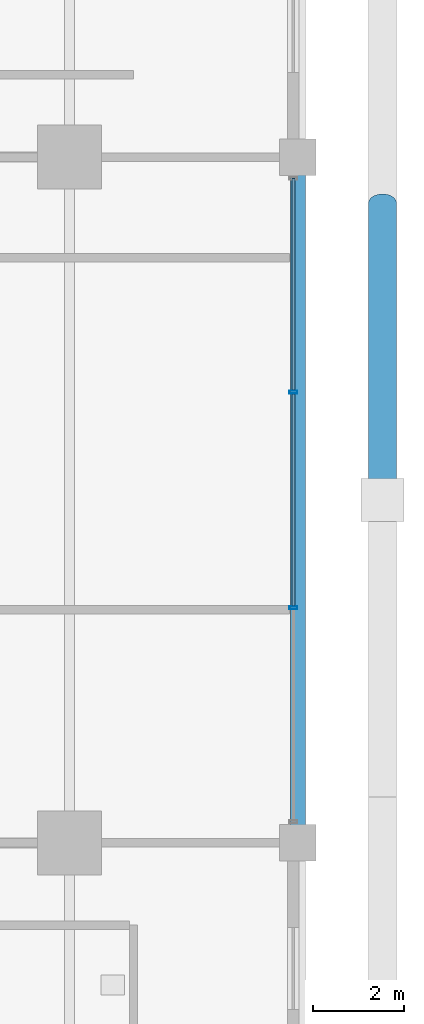
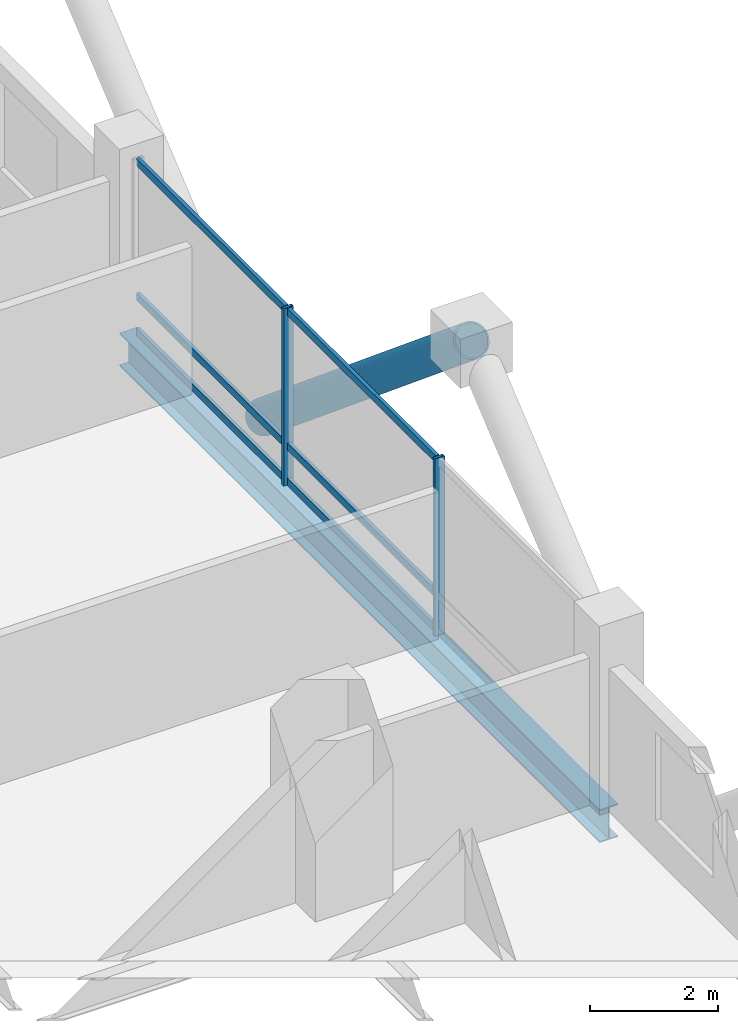
# One storey, part 10 of 21: 9 members, 1 beam, 1 element without a shape of its own.
"""IFC4 building model written with IfcOpenShell, lengths in metres."""

from ifc_helpers import new_model, si_unit, direction, frame, origin, origin_2d, place, context, subcontext, project, spatial, hollow_rectangle, hollow_circle, i_section, extrude, material, layer, layer_set, material_profile, profile_set, type_object, element, aggregate, save


model = new_model("IFC4")

# Units and contexts
model_context = context("Model", 3, precision=1e-05, world=origin(), true_north=direction((0.0, 1.0)))
body_context = subcontext(model_context, "Body", "Model", "MODEL_VIEW")
ifc_project = project(units=[si_unit("LENGTHUNIT", "METRE"), si_unit("AREAUNIT", "SQUARE_METRE"), si_unit("VOLUMEUNIT", "CUBIC_METRE"), si_unit("PLANEANGLEUNIT", "RADIAN"), si_unit("MASSUNIT", "GRAM", prefix="KILO")], contexts=[model_context])

# Site, building, storey
site_placement = place(None, origin())
site = spatial("IfcSite", under=ifc_project, at=site_placement, CompositionType="ELEMENT")
building_placement = place(site_placement, origin())
building = spatial("IfcBuilding", under=site, at=building_placement, Name="Barlavira Tower and Art Museum", CompositionType="ELEMENT")
storey_placement = place(building_placement, frame((0.0, 0.0, 79.199951171875)))
storey = spatial("IfcBuildingStorey", under=building, at=storey_placement, Name="L19", CompositionType="ELEMENT", Elevation=79.199951171875)

# Curtain wall, members
ifc_material_1 = material(Name="Low-iron coastal laminated glass", Category="glass")
ifc_layer = layer(ifc_material_1, 0.179931640625, Name="Low-iron coastal laminated glass")
ifc_layer_set = layer_set([ifc_layer], Name="Low-iron coastal laminated glass")
curtain_wall_type = type_object("IfcCurtainWallType", Name="Pale-Metal Unitised Curtain Wall Zone 1", PredefinedType="NOTDEFINED", material=ifc_layer_set)
curtain_wall_placement = place(storey_placement, origin())
curtain_wall = element("IfcCurtainWall", 1, at=curtain_wall_placement, inside=storey, type_object=curtain_wall_type, Name="L19 Curtain Wall CW1-L19-E-B3", PredefinedType="NOTDEFINED")
ifc_material_2 = material(Name="Pale anodised aluminium", Category="aluminium")
ifc_material_profile_1 = material_profile(ifc_material_2, hollow_rectangle(XDim=0.06494140625, YDim=0.179931640625, WallThickness=0.00390625, at=origin_2d()), Name="ALU-MULL 65x180x4")
ifc_profile_set_1 = profile_set([ifc_material_profile_1], Name="Pale anodised aluminium")
member_type_1 = type_object("IfcMemberType", Name="Curtain Wall Pale-Metal Mullion 65x180", PredefinedType="MULLION", material=ifc_profile_set_1)
member_1_placement = place(storey_placement, frame((21.89990234375, -2.360107421875, 0.0), z_axis=(0.0, 0.0, 1.0), x_axis=(0.0, 1.0, 0.0)))
member_1 = element("IfcMember", 2, at=member_1_placement, type_object=member_type_1, Name="CW1-L19-E-B3 Mullion 1", PredefinedType="MULLION", context=body_context, shape_type="SweptSolid", body=[
    extrude(hollow_rectangle(XDim=0.06494140625, YDim=0.179931640625, WallThickness=0.00390625, at=origin_2d()), origin(), (0.0, 0.0, 1.0), 3.380126953125),
])
member_2_placement = place(storey_placement, frame((21.89990234375, 2.360107421875, 0.0), z_axis=(0.0, 0.0, 1.0), x_axis=(0.0, 1.0, 0.0)))
member_2 = element("IfcMember", 3, at=member_2_placement, type_object=member_type_1, Name="CW1-L19-E-B3 Mullion 2", PredefinedType="MULLION", context=body_context, shape_type="SweptSolid", body=[
    extrude(hollow_rectangle(XDim=0.06494140625, YDim=0.179931640625, WallThickness=0.00390625, at=origin_2d()), origin(), (0.0, 0.0, 1.0), 3.380126953125),
])
ifc_material_profile_2 = material_profile(ifc_material_2, hollow_rectangle(XDim=0.06494140625, YDim=0.139892578125, WallThickness=0.00390625, at=origin_2d()), Name="ALU-TRAN 65x140x4")
ifc_profile_set_2 = profile_set([ifc_material_profile_2], Name="Pale anodised aluminium")
member_type_2 = type_object("IfcMemberType", Name="Curtain Wall Pale-Metal Transom 65x140", PredefinedType="USERDEFINED", material=ifc_profile_set_2)
member_3_placement = place(storey_placement, frame((21.89990234375, -2.31494140625, 0.070068359375), z_axis=(0.0, 1.0, 0.0), x_axis=(-1.0, 0.0, 0.0)))
member_3 = element("IfcMember", 4, at=member_3_placement, type_object=member_type_2, Name="CW1-L19-E-B3 Transom 1.1", ObjectType="TRANSOM", PredefinedType="USERDEFINED", context=body_context, shape_type="SweptSolid", body=[
    extrude(hollow_rectangle(XDim=0.06494140625, YDim=0.139892578125, WallThickness=0.00390625, at=origin_2d()), origin(), (0.0, 0.0, 1.0), 4.6298828125),
])
member_4_placement = place(storey_placement, frame((21.89990234375, -2.31494140625, 0.744140625), z_axis=(0.0, 1.0, 0.0), x_axis=(-1.0, 0.0, 0.0)))
member_4 = element("IfcMember", 5, at=member_4_placement, type_object=member_type_2, Name="CW1-L19-E-B3 Transom 1.2", ObjectType="TRANSOM", PredefinedType="USERDEFINED", context=body_context, shape_type="SweptSolid", body=[
    extrude(hollow_rectangle(XDim=0.06494140625, YDim=0.139892578125, WallThickness=0.00390625, at=origin_2d()), origin(), (0.0, 0.0, 1.0), 4.6298828125),
])
member_5_placement = place(storey_placement, frame((21.89990234375, -2.31494140625, 3.31005859375), z_axis=(0.0, 1.0, 0.0), x_axis=(-1.0, 0.0, 0.0)))
member_5 = element("IfcMember", 6, at=member_5_placement, type_object=member_type_2, Name="CW1-L19-E-B3 Transom 1.3", ObjectType="TRANSOM", PredefinedType="USERDEFINED", context=body_context, shape_type="SweptSolid", body=[
    extrude(hollow_rectangle(XDim=0.06494140625, YDim=0.139892578125, WallThickness=0.00390625, at=origin_2d()), origin(), (0.0, 0.0, 1.0), 4.6298828125),
])
member_6_placement = place(storey_placement, frame((21.89990234375, 2.405029296875, 0.070068359375), z_axis=(0.0, 1.0, 0.0), x_axis=(-1.0, 0.0, 0.0)))
member_6 = element("IfcMember", 7, at=member_6_placement, type_object=member_type_2, Name="CW1-L19-E-B3 Transom 2.1", ObjectType="TRANSOM", PredefinedType="USERDEFINED", context=body_context, shape_type="SweptSolid", body=[
    extrude(hollow_rectangle(XDim=0.06494140625, YDim=0.139892578125, WallThickness=0.00390625, at=origin_2d()), origin(), (0.0, 0.0, 1.0), 4.6298828125),
])
member_7_placement = place(storey_placement, frame((21.89990234375, 2.405029296875, 0.744140625), z_axis=(0.0, 1.0, 0.0), x_axis=(-1.0, 0.0, 0.0)))
member_7 = element("IfcMember", 8, at=member_7_placement, type_object=member_type_2, Name="CW1-L19-E-B3 Transom 2.2", ObjectType="TRANSOM", PredefinedType="USERDEFINED", context=body_context, shape_type="SweptSolid", body=[
    extrude(hollow_rectangle(XDim=0.06494140625, YDim=0.139892578125, WallThickness=0.00390625, at=origin_2d()), origin(), (0.0, 0.0, 1.0), 4.6298828125),
])
member_8_placement = place(storey_placement, frame((21.89990234375, 2.405029296875, 3.31005859375), z_axis=(0.0, 1.0, 0.0), x_axis=(-1.0, 0.0, 0.0)))
member_8 = element("IfcMember", 9, at=member_8_placement, type_object=member_type_2, Name="CW1-L19-E-B3 Transom 2.3", ObjectType="TRANSOM", PredefinedType="USERDEFINED", context=body_context, shape_type="SweptSolid", body=[
    extrude(hollow_rectangle(XDim=0.06494140625, YDim=0.139892578125, WallThickness=0.00390625, at=origin_2d()), origin(), (0.0, 0.0, 1.0), 4.6298828125),
])
aggregate(curtain_wall, [member_1, member_2, member_3, member_4, member_5, member_6, member_7, member_8])

# Member
ifc_material_3 = material(Name="Steel S355", Category="steel")
ifc_material_profile_3 = material_profile(ifc_material_3, hollow_circle(Radius=0.304931640625, WallThickness=0.028076171875, at=origin_2d()), Name="CHS 610.0x28.0")
ifc_profile_set_3 = profile_set([ifc_material_profile_3], Name="Steel S355")
member_type_3 = type_object("IfcMemberType", Name="Pale-Metal Exoskeleton Diagrid Tube CHS 610x28 Steel S355", PredefinedType="BRACE", material=ifc_profile_set_3)
member_9_placement = place(storey_placement, frame((23.85009765625, 6.5, -1.919921875), z_axis=(0.0, -0.769196053329, 0.639012857104), x_axis=(1.0, 0.0, 0.0)))
element("IfcMember", 10, at=member_9_placement, inside=storey, type_object=member_type_3, Name="L19 Exoskeleton Diagrid Tube E", PredefinedType="BRACE", context=body_context, shape_type="SweptSolid", body=[
    extrude(hollow_circle(Radius=0.304931640625, WallThickness=0.028076171875, at=origin_2d()), origin(), (0.0, 0.0, 1.0), 8.450439453125),
])

# Beam
ifc_material_profile_4 = material_profile(ifc_material_3, i_section(OverallWidth=0.327880859375, OverallDepth=0.62890625, WebThickness=0.013916015625, FlangeThickness=0.021484375, at=origin_2d()), Name="W610x174.0")
ifc_profile_set_4 = profile_set([ifc_material_profile_4], Name="Steel S355")
beam_type = type_object("IfcBeamType", Name="Perimeter Spandrel Edge Beam W610x174 Steel S355", PredefinedType="SPANDREL", material=ifc_profile_set_4)
beam_placement = place(storey_placement, frame((22.0, -7.5, -0.534423828125), z_axis=(0.0, 1.0, 0.0), x_axis=(-1.0, 0.0, 0.0)))
element("IfcBeam", 11, at=beam_placement, inside=storey, type_object=beam_type, Name="L19 Spandrel 6", PredefinedType="SPANDREL", context=body_context, shape_type="SweptSolid", body=[
    extrude(i_section(OverallWidth=0.327880859375, OverallDepth=0.62890625, WebThickness=0.013916015625, FlangeThickness=0.021484375, at=origin_2d()), origin(), (0.0, 0.0, 1.0), 15.0),
])

save(model, "model.ifc")
